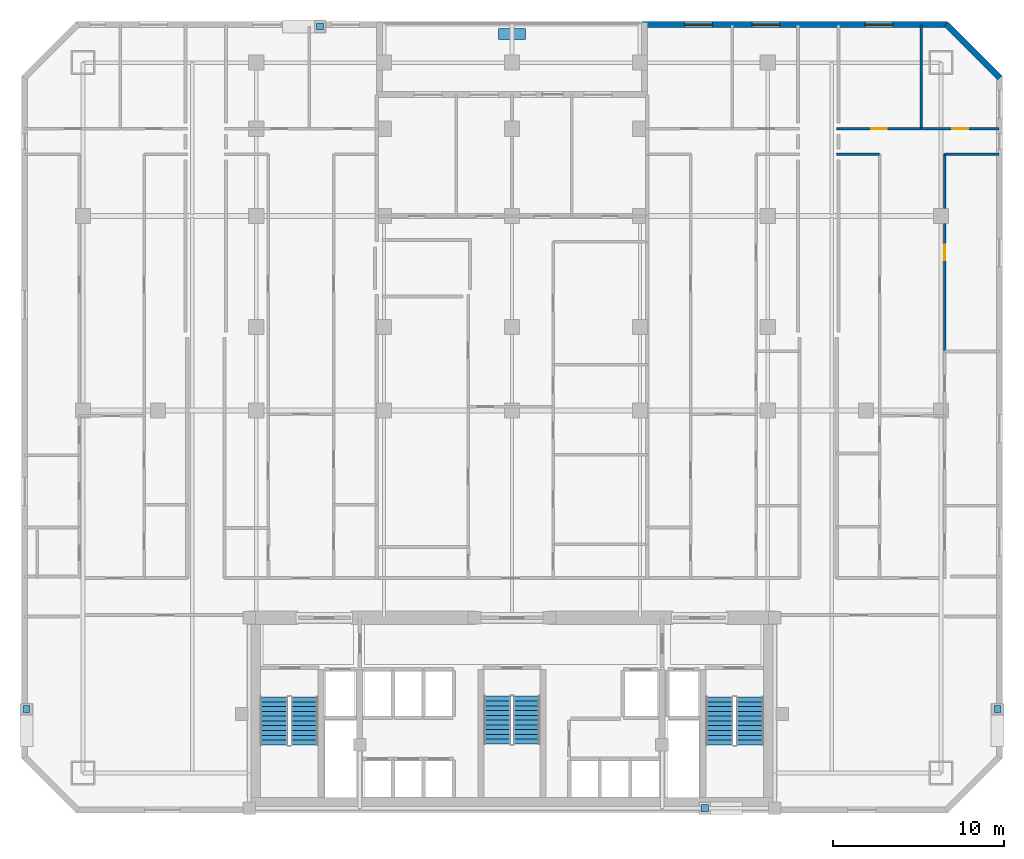
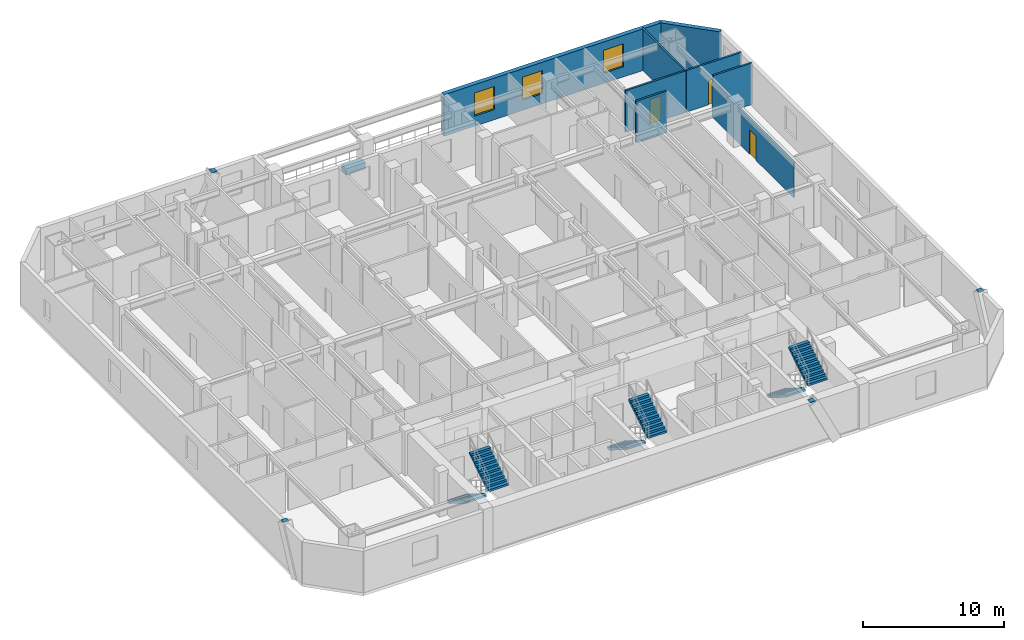
# One storey, part 9 of 10: 8 walls, 6 stair flights, 5 discrete accessories, 3 doors, 3 windows, 6 openings, 3 elements without a shape of their own.
"""IFC4 building model written with IfcOpenShell, lengths in metres."""

from ifc_helpers import new_model, si_unit, direction, frame, frame_2d, origin, origin_2d, place, context, subcontext, project, spatial, polyline, rectangle, outline, extrude, material, layer, layer_set, type_object, element, fill, aggregate, save


model = new_model("IFC4")

# Units and contexts
model_context = context("Model", 3, precision=1e-05, world=origin(), true_north=direction((0.0, 1.0)))
body_context = subcontext(model_context, "Body", "Model", "MODEL_VIEW")
ifc_project = project(units=[si_unit("LENGTHUNIT", "METRE"), si_unit("AREAUNIT", "SQUARE_METRE"), si_unit("VOLUMEUNIT", "CUBIC_METRE"), si_unit("PLANEANGLEUNIT", "RADIAN"), si_unit("MASSUNIT", "GRAM", prefix="KILO")], contexts=[model_context])

# Site, building, storey
site_placement = place(None, origin())
site = spatial("IfcSite", under=ifc_project, at=site_placement, CompositionType="ELEMENT")
building_placement = place(site_placement, origin())
building = spatial("IfcBuilding", under=site, at=building_placement, Name="Ventersveld Concourse Tower", CompositionType="ELEMENT")
storey_placement = place(building_placement, frame((0.0, 0.0, 64.449951171875)))
storey = spatial("IfcBuildingStorey", under=building, at=storey_placement, Name="L15", CompositionType="ELEMENT", Elevation=64.449951171875)

# Wall
ifc_material_1 = material(Name="Autoclaved aerated masonry blockwork", Category="masonry")
ifc_layer_1 = layer(ifc_material_1, 0.14990234375)
ifc_layer_set_1 = layer_set([ifc_layer_1], Name="Autoclaved aerated masonry blockwork")
wall_type_1 = type_object("IfcWallType", Name="WL-INT-150", PredefinedType="PARTITIONING", material=ifc_layer_set_1)
wall_1_placement = place(storey_placement, frame((47.784912109375, 38.6201171875, 0.0), z_axis=(0.0, 0.0, 1.0), x_axis=(1.0, 0.0, 0.0)))
element("IfcWall", 1, at=wall_1_placement, inside=storey, type_object=wall_type_1, Name="L15 Interior Partition SP-L15-15NE-LIV-SP-L15-15NE-DENL", PredefinedType="PARTITIONING", context=body_context, shape_type="SweptSolid", body=[
    extrude(rectangle(XDim=2.52099609375, YDim=0.14990234375, at=frame_2d((1.260498046875, 0.0))), origin(), (0.0, 0.0, 1.0), 3.60009765625),
])

# Wall, opening, door
wall_2_placement = place(storey_placement, frame((54.122802734375, 27.0947265625, 0.0), z_axis=(0.0, 0.0, 1.0), x_axis=(0.0, 1.0, 0.0)))
wall_2 = element("IfcWall", 2, at=wall_2_placement, inside=storey, type_object=wall_type_1, Name="L15 Interior Partition SP-L15-15NE-LIV-SP-L15-15NE-DENS", PredefinedType="PARTITIONING", context=body_context, shape_type="SweptSolid", body=[
    extrude(rectangle(XDim=11.5302734375, YDim=0.14990234375, at=frame_2d((5.76513671875, 0.0))), origin(), (0.0, 0.0, 1.0), 3.0556640625),
])
opening_1_placement = place(wall_2_placement, frame((5.30517578125, 0.0, 0.0)))
opening_1 = element("IfcOpeningElement", 3, at=opening_1_placement, cuts=wall_2, Name="Opening ID1", PredefinedType="OPENING", context=body_context, shape_type="SweptSolid", body=[
    extrude(rectangle(XDim=0.919921875, YDim=2.10009765625, at=frame_2d((0.4599609375, 1.050048828125))), frame((0.0, 0.0849609375, 0.0), z_axis=(0.0, -1.0, 0.0), x_axis=(1.0, 0.0, 0.0)), (0.0, 0.0, 1.0), 0.169921875),
])
ifc_material_2 = material(Name="Solid-core hardwood veneer timber", Category="wood")
door_type = type_object("IfcDoorType", Name="DR-ROOM-092", OperationType="NOTDEFINED", PredefinedType="DOOR", material=ifc_material_2)
door_1_placement = place(opening_1_placement, origin())
door_1 = element("IfcDoor", 4, at=door_1_placement, inside=storey, type_object=door_type, Name="L15 Interior Door SP-L15-15NE-LIV to SP-L15-15NE-DENS (D-L15-0680)", OperationType="SINGLE_SWING_RIGHT", OverallHeight=2.10009765625, OverallWidth=0.919921875, PredefinedType="DOOR", context=body_context, shape_type="SweptSolid", body=[
    extrude(rectangle(XDim=0.919921875, YDim=2.10009765625, at=frame_2d((0.4599609375, 1.050048828125))), frame((0.0, 0.02490234375, 0.0), z_axis=(0.0, -1.0, 0.0), x_axis=(1.0, 0.0, 0.0)), (0.0, 0.0, 1.0), 0.050048828125),
])
fill(opening_1, door_1)

# Wall
wall_3_placement = place(storey_placement, frame((54.117919921875, 38.6201171875, 0.0), z_axis=(0.0, 0.0, 1.0), x_axis=(1.0, 0.0, 0.0)))
element("IfcWall", 5, at=wall_3_placement, inside=storey, type_object=wall_type_1, Name="L15 Interior Partition SP-L15-15NE-LIV-SP-L15-15NE-DENS", PredefinedType="PARTITIONING", context=body_context, shape_type="SweptSolid", body=[
    extrude(rectangle(XDim=3.172119140625, YDim=0.14990234375, at=frame_2d((1.5859375, 0.0))), origin(), (0.0, 0.0, 1.0), 3.60009765625),
])

# Wall, opening, door
wall_4_placement = place(storey_placement, frame((47.784912109375, 40.1201171875, 0.0), z_axis=(0.0, 0.0, 1.0), x_axis=(1.0, 0.0, 0.0)))
wall_4 = element("IfcWall", 6, at=wall_4_placement, inside=storey, type_object=wall_type_1, Name="L15 Interior Partition SP-L15-15NE-LIV-SP-L15-15NE-BR1", PredefinedType="PARTITIONING", context=body_context, shape_type="SweptSolid", body=[
    extrude(rectangle(XDim=4.951171875, YDim=0.14990234375, at=frame_2d((2.4755859375, 0.0))), origin(), (0.0, 0.0, 1.0), 3.60009765625),
])
opening_2_placement = place(wall_4_placement, frame((2.015625, 0.0, 0.0)))
opening_2 = element("IfcOpeningElement", 7, at=opening_2_placement, cuts=wall_4, Name="Opening ID1", PredefinedType="OPENING", context=body_context, shape_type="SweptSolid", body=[
    extrude(rectangle(XDim=0.919921875, YDim=2.10009765625, at=frame_2d((0.4599609375, 1.050048828125))), frame((0.0, 0.0849609375, 0.0), z_axis=(0.0, -1.0, 0.0), x_axis=(1.0, 0.0, 0.0)), (0.0, 0.0, 1.0), 0.169921875),
])
door_2_placement = place(opening_2_placement, origin())
door_2 = element("IfcDoor", 8, at=door_2_placement, inside=storey, type_object=door_type, Name="L15 Interior Door SP-L15-15NE-LIV to SP-L15-15NE-BR1 (D-L15-0681)", OperationType="SINGLE_SWING_LEFT", OverallHeight=2.10009765625, OverallWidth=0.919921875, PredefinedType="DOOR", context=body_context, shape_type="SweptSolid", body=[
    extrude(rectangle(XDim=0.919921875, YDim=2.10009765625, at=frame_2d((0.4599609375, 1.050048828125))), frame((0.0, 0.02490234375, 0.0), z_axis=(0.0, -1.0, 0.0), x_axis=(1.0, 0.0, 0.0)), (0.0, 0.0, 1.0), 0.050048828125),
])
fill(opening_2, door_2)

wall_5_placement = place(storey_placement, frame((52.76611328125, 40.1201171875, 0.0), z_axis=(0.0, 0.0, 1.0), x_axis=(1.0, 0.0, 0.0)))
wall_5 = element("IfcWall", 9, at=wall_5_placement, inside=storey, type_object=wall_type_1, Name="L15 Interior Partition SP-L15-15NE-LIV-SP-L15-15NE-BR2", PredefinedType="PARTITIONING", context=body_context, shape_type="SweptSolid", body=[
    extrude(rectangle(XDim=4.52392578125, YDim=0.14990234375, at=frame_2d((2.261962890625, 0.0))), origin(), (0.0, 0.0, 1.0), 3.60009765625),
])
opening_3_placement = place(wall_5_placement, frame((1.802001953125, 0.0, 0.0)))
opening_3 = element("IfcOpeningElement", 10, at=opening_3_placement, cuts=wall_5, Name="Opening ID1", PredefinedType="OPENING", context=body_context, shape_type="SweptSolid", body=[
    extrude(rectangle(XDim=0.919921875, YDim=2.10009765625, at=frame_2d((0.4599609375, 1.050048828125))), frame((0.0, 0.0849609375, 0.0), z_axis=(0.0, -1.0, 0.0), x_axis=(1.0, 0.0, 0.0)), (0.0, 0.0, 1.0), 0.169921875),
])
door_3_placement = place(opening_3_placement, origin())
door_3 = element("IfcDoor", 11, at=door_3_placement, inside=storey, type_object=door_type, Name="L15 Interior Door SP-L15-15NE-LIV to SP-L15-15NE-BR2 (D-L15-0682)", OperationType="SINGLE_SWING_RIGHT", OverallHeight=2.10009765625, OverallWidth=0.919921875, PredefinedType="DOOR", context=body_context, shape_type="SweptSolid", body=[
    extrude(rectangle(XDim=0.919921875, YDim=2.10009765625, at=frame_2d((0.4599609375, 1.050048828125))), frame((0.0, 0.02490234375, 0.0), z_axis=(0.0, -1.0, 0.0), x_axis=(1.0, 0.0, 0.0)), (0.0, 0.0, 1.0), 0.050048828125),
])
fill(opening_3, door_3)

# Walls
wall_6_placement = place(storey_placement, frame((52.731201171875, 40.114990234375, 0.0), z_axis=(0.0, 0.0, 1.0), x_axis=(0.0, 1.0, 0.0)))
element("IfcWall", 12, at=wall_6_placement, inside=storey, type_object=wall_type_1, Name="L15 Interior Partition SP-L15-15NE-BR1-SP-L15-15NE-BR2", PredefinedType="PARTITIONING", context=body_context, shape_type="SweptSolid", body=[
    extrude(rectangle(XDim=6.074951171875, YDim=0.14990234375, at=frame_2d((3.03759765625, 0.0))), origin(), (0.0, 0.0, 1.0), 3.60009765625),
])
ifc_material_3 = material(Name="Precast concrete C45/55", Category="concrete")
ifc_layer_2 = layer(ifc_material_3, 0.35009765625)
ifc_layer_set_2 = layer_set([ifc_layer_2], Name="Precast concrete C45/55")
wall_type_2 = type_object("IfcWallType", Name="WL-PREC-350", PredefinedType="SOLIDWALL", material=ifc_layer_set_2)
wall_7_placement = place(storey_placement, frame((57.347900390625, 43.1044921875, 0.0), z_axis=(0.0, 0.0, 1.0), x_axis=(-0.707079321262, 0.707134240044, 0.0)))
element("IfcWall", 13, at=wall_7_placement, inside=storey, type_object=wall_type_2, Name="L15 Highveld Precast Facade Wall E04", PredefinedType="SOLIDWALL", context=body_context, shape_type="SweptSolid", body=[
    extrude(rectangle(XDim=4.445556640625, YDim=0.35009765625, at=frame_2d((2.22265625, 0.0))), origin(), (0.0, 0.0, 1.0), 3.60009765625),
])

# Wall, openings, windows
wall_8_placement = place(storey_placement, frame((54.260009765625, 46.22509765625, 0.0), z_axis=(0.0, 0.0, 1.0), x_axis=(-1.0, 0.0, 0.0)))
wall_8 = element("IfcWall", 14, at=wall_8_placement, inside=storey, type_object=wall_type_2, Name="L15 Highveld Precast Facade Wall E05", PredefinedType="SOLIDWALL", context=body_context, shape_type="SweptSolid", body=[
    extrude(rectangle(XDim=17.8701171875, YDim=0.35009765625, at=frame_2d((8.93505859375, 0.0))), origin(), (0.0, 0.0, 1.0), 3.60009765625),
])
opening_4_placement = place(wall_8_placement, frame((3.17431640625, 0.0, 0.8798828125)))
opening_4 = element("IfcOpeningElement", 15, at=opening_4_placement, cuts=wall_8, Name="Opening W6", PredefinedType="OPENING", context=body_context, shape_type="SweptSolid", body=[
    extrude(rectangle(XDim=1.64990234375, YDim=2.0, at=frame_2d((0.824951171875, 1.0))), frame((0.0, 0.18505859375, 0.0), z_axis=(0.0, -1.0, 0.0), x_axis=(1.0, 0.0, 0.0)), (0.0, 0.0, 1.0), 0.3701171875),
])
opening_5_placement = place(wall_8_placement, frame((13.745849609375, 0.0, 0.8798828125)))
opening_5 = element("IfcOpeningElement", 16, at=opening_5_placement, cuts=wall_8, Name="Opening W6", PredefinedType="OPENING", context=body_context, shape_type="SweptSolid", body=[
    extrude(rectangle(XDim=1.64990234375, YDim=2.0, at=frame_2d((0.824951171875, 1.0))), frame((0.0, 0.18505859375, 0.0), z_axis=(0.0, -1.0, 0.0), x_axis=(1.0, 0.0, 0.0)), (0.0, 0.0, 1.0), 0.3701171875),
])
opening_6_placement = place(wall_8_placement, frame((9.80322265625, 0.0, 0.8798828125)))
opening_6 = element("IfcOpeningElement", 17, at=opening_6_placement, cuts=wall_8, Name="Opening W6", PredefinedType="OPENING", context=body_context, shape_type="SweptSolid", body=[
    extrude(rectangle(XDim=1.64990234375, YDim=2.0, at=frame_2d((0.824951171875, 1.0))), frame((0.0, 0.18505859375, 0.0), z_axis=(0.0, -1.0, 0.0), x_axis=(1.0, 0.0, 0.0)), (0.0, 0.0, 1.0), 0.3701171875),
])
ifc_material_4 = material(Name="Tempered acoustic Low-E IGU", Category="glass")
window_type = type_object("IfcWindowType", Name="WIN-165x200", PartitioningType="SINGLE_PANEL", PredefinedType="WINDOW", material=ifc_material_4)
window_1_placement = place(opening_4_placement, origin())
window_1 = element("IfcWindow", 18, at=window_1_placement, inside=storey, type_object=window_type, Name="L15 Punched Low-E Window W-0134", OverallHeight=2.0, OverallWidth=1.64990234375, PartitioningType="SINGLE_PANEL", PredefinedType="WINDOW", context=body_context, shape_type="SweptSolid", body=[
    extrude(rectangle(XDim=1.64990234375, YDim=2.0, at=frame_2d((0.824951171875, 1.0))), frame((0.0, 0.030029296875, 0.0), z_axis=(0.0, -1.0, 0.0), x_axis=(1.0, 0.0, 0.0)), (0.0, 0.0, 1.0), 0.06005859375),
])
fill(opening_4, window_1)
window_2_placement = place(opening_5_placement, origin())
window_2 = element("IfcWindow", 19, at=window_2_placement, inside=storey, type_object=window_type, Name="L15 Punched Low-E Window W-0138", OverallHeight=2.0, OverallWidth=1.64990234375, PartitioningType="SINGLE_PANEL", PredefinedType="WINDOW", context=body_context, shape_type="SweptSolid", body=[
    extrude(rectangle(XDim=1.64990234375, YDim=2.0, at=frame_2d((0.824951171875, 1.0))), frame((0.0, 0.030029296875, 0.0), z_axis=(0.0, -1.0, 0.0), x_axis=(1.0, 0.0, 0.0)), (0.0, 0.0, 1.0), 0.06005859375),
])
fill(opening_5, window_2)
window_3_placement = place(opening_6_placement, origin())
window_3 = element("IfcWindow", 20, at=window_3_placement, inside=storey, type_object=window_type, Name="L15 Punched Low-E Window W-0139", OverallHeight=2.0, OverallWidth=1.64990234375, PartitioningType="SINGLE_PANEL", PredefinedType="WINDOW", context=body_context, shape_type="SweptSolid", body=[
    extrude(rectangle(XDim=1.64990234375, YDim=2.0, at=frame_2d((0.824951171875, 1.0))), frame((0.0, 0.030029296875, 0.0), z_axis=(0.0, -1.0, 0.0), x_axis=(1.0, 0.0, 0.0)), (0.0, 0.0, 1.0), 0.06005859375),
])
fill(opening_6, window_3)

# Stair, stair flights
ifc_material_5 = material(Name="Concrete C50/60", Category="concrete")
stair_type_1 = type_object("IfcStairType", Name="ST-DOG-155", PredefinedType="HALF_TURN_STAIR", material=ifc_material_5)
stair_1_placement = place(storey_placement, origin())
stair_1 = element("IfcStair", 21, at=stair_1_placement, inside=storey, type_object=stair_type_1, Name="L15 Protected Central Core Escape Stair ST-03", PredefinedType="HALF_TURN_STAIR")
stair_flight_type_1 = type_object("IfcStairFlightType", Name="STF-RC-155", PredefinedType="STRAIGHT", material=ifc_material_5)
stair_flight_1_placement = place(storey_placement, frame((27.875, 6.85009765625, 0.0), z_axis=(0.0, 0.0, 1.0), x_axis=(0.0, -1.0, 0.0)))
stair_flight_1 = element("IfcStairFlight", 22, at=stair_flight_1_placement, type_object=stair_flight_type_1, Name="ST-03 flight 1", NumberOfRisers=11, NumberOfTreads=10, PredefinedType="STRAIGHT", RiserHeight=0.175, TreadLength=0.28, context=body_context, shape_type="SweptSolid", body=[
    extrude(outline(polyline([(0.0, 0.0), (0.0, 0.175048828125), (0.280029296875, 0.175048828125), (0.280029296875, 0.35009765625), (0.56005859375, 0.35009765625), (0.56005859375, 0.52490234375), (0.840087890625, 0.52490234375), (0.840087890625, 0.699951171875), (1.1201171875, 0.699951171875), (1.1201171875, 0.875), (1.39990234375, 0.875), (1.39990234375, 1.050048828125), (1.679931640625, 1.050048828125), (1.679931640625, 1.22509765625), (1.9599609375, 1.22509765625), (1.9599609375, 1.39990234375), (2.239990234375, 1.39990234375), (2.239990234375, 1.574951171875), (2.52001953125, 1.574951171875), (2.52001953125, 1.75), (2.800048828125, 1.75), (2.800048828125, 1.925048828125), (2.800048828125, 1.5732421875), (0.28271484375, 0.0), (0.0, 0.0)])), frame((0.0, 0.77490234375, 0.0), z_axis=(0.0, -1.0, 0.0), x_axis=(1.0, 0.0, 0.0)), (0.0, 0.0, 1.0), 1.550048828125),
])
stair_flight_2_placement = place(storey_placement, frame((29.625, 4.050048828125, 1.925048828125), z_axis=(0.0, 0.0, 1.0), x_axis=(0.0, 1.0, 0.0)))
stair_flight_2 = element("IfcStairFlight", 23, at=stair_flight_2_placement, type_object=stair_flight_type_1, Name="ST-03 flight 2", NumberOfRisers=11, NumberOfTreads=10, PredefinedType="STRAIGHT", RiserHeight=0.175, TreadLength=0.28, context=body_context, shape_type="SweptSolid", body=[
    extrude(outline(polyline([(0.0, 0.0), (0.0, 0.175048828125), (0.280029296875, 0.175048828125), (0.280029296875, 0.35009765625), (0.56005859375, 0.35009765625), (0.56005859375, 0.52490234375), (0.840087890625, 0.52490234375), (0.840087890625, 0.699951171875), (1.1201171875, 0.699951171875), (1.1201171875, 0.875), (1.39990234375, 0.875), (1.39990234375, 1.050048828125), (1.679931640625, 1.050048828125), (1.679931640625, 1.22509765625), (1.9599609375, 1.22509765625), (1.9599609375, 1.39990234375), (2.239990234375, 1.39990234375), (2.239990234375, 1.574951171875), (2.52001953125, 1.574951171875), (2.52001953125, 1.75), (2.800048828125, 1.75), (2.800048828125, 1.925048828125), (2.800048828125, 1.5732421875), (0.28271484375, 0.0), (0.0, 0.0)])), frame((0.0, 0.77490234375, 0.0), z_axis=(0.0, -1.0, 0.0), x_axis=(1.0, 0.0, 0.0)), (0.0, 0.0, 1.0), 1.550048828125),
])
aggregate(stair_1, [stair_flight_1, stair_flight_2])

stair_type_2 = type_object("IfcStairType", Name="ST-DOG-160", PredefinedType="HALF_TURN_STAIR", material=ifc_material_5)
stair_2_placement = place(storey_placement, origin())
stair_2 = element("IfcStair", 24, at=stair_2_placement, inside=storey, type_object=stair_type_2, Name="L15 Protected Tower Escape Stair ST-01", PredefinedType="HALF_TURN_STAIR")
stair_flight_type_2 = type_object("IfcStairFlightType", Name="STF-RC-160", PredefinedType="STRAIGHT", material=ifc_material_5)
stair_flight_3_placement = place(storey_placement, frame((14.780029296875, 6.800048828125, 0.0), z_axis=(0.0, 0.0, 1.0), x_axis=(0.0, -1.0, 0.0)))
stair_flight_3 = element("IfcStairFlight", 25, at=stair_flight_3_placement, type_object=stair_flight_type_2, Name="ST-01 flight 1", NumberOfRisers=11, NumberOfTreads=10, PredefinedType="STRAIGHT", RiserHeight=0.175, TreadLength=0.28, context=body_context, shape_type="SweptSolid", body=[
    extrude(outline(polyline([(0.0, 0.0), (0.0, 0.175048828125), (0.280029296875, 0.175048828125), (0.280029296875, 0.35009765625), (0.56005859375, 0.35009765625), (0.56005859375, 0.52490234375), (0.840087890625, 0.52490234375), (0.840087890625, 0.699951171875), (1.1201171875, 0.699951171875), (1.1201171875, 0.875), (1.39990234375, 0.875), (1.39990234375, 1.050048828125), (1.679931640625, 1.050048828125), (1.679931640625, 1.22509765625), (1.9599609375, 1.22509765625), (1.9599609375, 1.39990234375), (2.239990234375, 1.39990234375), (2.239990234375, 1.574951171875), (2.52001953125, 1.574951171875), (2.52001953125, 1.75), (2.800048828125, 1.75), (2.800048828125, 1.925048828125), (2.800048828125, 1.5732421875), (0.28271484375, 0.0), (0.0, 0.0)])), frame((0.0, 0.800048828125, 0.0), z_axis=(0.0, -1.0, 0.0), x_axis=(1.0, 0.0, 0.0)), (0.0, 0.0, 1.0), 1.60009765625),
])
stair_flight_4_placement = place(storey_placement, frame((16.580078125, 4.0, 1.925048828125), z_axis=(0.0, 0.0, 1.0), x_axis=(0.0, 1.0, 0.0)))
stair_flight_4 = element("IfcStairFlight", 26, at=stair_flight_4_placement, type_object=stair_flight_type_2, Name="ST-01 flight 2", NumberOfRisers=11, NumberOfTreads=10, PredefinedType="STRAIGHT", RiserHeight=0.175, TreadLength=0.28, context=body_context, shape_type="SweptSolid", body=[
    extrude(outline(polyline([(0.0, 0.0), (0.0, 0.175048828125), (0.280029296875, 0.175048828125), (0.280029296875, 0.35009765625), (0.56005859375, 0.35009765625), (0.56005859375, 0.52490234375), (0.840087890625, 0.52490234375), (0.840087890625, 0.699951171875), (1.1201171875, 0.699951171875), (1.1201171875, 0.875), (1.39990234375, 0.875), (1.39990234375, 1.050048828125), (1.679931640625, 1.050048828125), (1.679931640625, 1.22509765625), (1.9599609375, 1.22509765625), (1.9599609375, 1.39990234375), (2.239990234375, 1.39990234375), (2.239990234375, 1.574951171875), (2.52001953125, 1.574951171875), (2.52001953125, 1.75), (2.800048828125, 1.75), (2.800048828125, 1.925048828125), (2.800048828125, 1.5732421875), (0.28271484375, 0.0), (0.0, 0.0)])), frame((0.0, 0.800048828125, 0.0), z_axis=(0.0, -1.0, 0.0), x_axis=(1.0, 0.0, 0.0)), (0.0, 0.0, 1.0), 1.60009765625),
])
aggregate(stair_2, [stair_flight_3, stair_flight_4])

stair_3_placement = place(storey_placement, origin())
stair_3 = element("IfcStair", 27, at=stair_3_placement, inside=storey, type_object=stair_type_2, Name="L15 Protected Tower Escape Stair ST-02", PredefinedType="HALF_TURN_STAIR")
stair_flight_5_placement = place(storey_placement, frame((40.919921875, 6.800048828125, 0.0), z_axis=(0.0, 0.0, 1.0), x_axis=(0.0, -1.0, 0.0)))
stair_flight_5 = element("IfcStairFlight", 28, at=stair_flight_5_placement, type_object=stair_flight_type_2, Name="ST-02 flight 1", NumberOfRisers=11, NumberOfTreads=10, PredefinedType="STRAIGHT", RiserHeight=0.175, TreadLength=0.28, context=body_context, shape_type="SweptSolid", body=[
    extrude(outline(polyline([(0.0, 0.0), (0.0, 0.175048828125), (0.280029296875, 0.175048828125), (0.280029296875, 0.35009765625), (0.56005859375, 0.35009765625), (0.56005859375, 0.52490234375), (0.840087890625, 0.52490234375), (0.840087890625, 0.699951171875), (1.1201171875, 0.699951171875), (1.1201171875, 0.875), (1.39990234375, 0.875), (1.39990234375, 1.050048828125), (1.679931640625, 1.050048828125), (1.679931640625, 1.22509765625), (1.9599609375, 1.22509765625), (1.9599609375, 1.39990234375), (2.239990234375, 1.39990234375), (2.239990234375, 1.574951171875), (2.52001953125, 1.574951171875), (2.52001953125, 1.75), (2.800048828125, 1.75), (2.800048828125, 1.925048828125), (2.800048828125, 1.5732421875), (0.28271484375, 0.0), (0.0, 0.0)])), frame((0.0, 0.800048828125, 0.0), z_axis=(0.0, -1.0, 0.0), x_axis=(1.0, 0.0, 0.0)), (0.0, 0.0, 1.0), 1.60009765625),
])
stair_flight_6_placement = place(storey_placement, frame((42.719970703125, 4.0, 1.925048828125), z_axis=(0.0, 0.0, 1.0), x_axis=(0.0, 1.0, 0.0)))
stair_flight_6 = element("IfcStairFlight", 29, at=stair_flight_6_placement, type_object=stair_flight_type_2, Name="ST-02 flight 2", NumberOfRisers=11, NumberOfTreads=10, PredefinedType="STRAIGHT", RiserHeight=0.175, TreadLength=0.28, context=body_context, shape_type="SweptSolid", body=[
    extrude(outline(polyline([(0.0, 0.0), (0.0, 0.175048828125), (0.280029296875, 0.175048828125), (0.280029296875, 0.35009765625), (0.56005859375, 0.35009765625), (0.56005859375, 0.52490234375), (0.840087890625, 0.52490234375), (0.840087890625, 0.699951171875), (1.1201171875, 0.699951171875), (1.1201171875, 0.875), (1.39990234375, 0.875), (1.39990234375, 1.050048828125), (1.679931640625, 1.050048828125), (1.679931640625, 1.22509765625), (1.9599609375, 1.22509765625), (1.9599609375, 1.39990234375), (2.239990234375, 1.39990234375), (2.239990234375, 1.574951171875), (2.52001953125, 1.574951171875), (2.52001953125, 1.75), (2.800048828125, 1.75), (2.800048828125, 1.925048828125), (2.800048828125, 1.5732421875), (0.28271484375, 0.0), (0.0, 0.0)])), frame((0.0, 0.800048828125, 0.0), z_axis=(0.0, -1.0, 0.0), x_axis=(1.0, 0.0, 0.0)), (0.0, 0.0, 1.0), 1.60009765625),
])
aggregate(stair_3, [stair_flight_5, stair_flight_6])

# Discrete accessories
ifc_material_6 = material(Name="Structural steel S355J2", Category="steel")
discrete_accessory_type_1 = type_object("IfcDiscreteAccessoryType", Name="CONN-BRACE-ECP1", PredefinedType="BRACKET", material=ifc_material_6)
for number, where, z_axis, x_axis, name in (
    (30, (17.5, 46.1201171875, 3.580078125), (0.0, 0.0, 1.0), (1.0, 0.0, 0.0), "L15 Steel Brace End Connection Plate ECP1-0234"),
    (31, (40.050048828125, 0.280029296875, 3.580078125), (0.0, 0.0, 1.0), (1.0, 0.0, 0.0), "L15 Steel Brace End Connection Plate ECP1-0238"),
    (32, (0.280029296875, 6.10009765625, 3.580078125), (0.0, 0.0, 1.0), (1.0, 0.0, 0.0), "L15 Steel Brace End Connection Plate ECP1-0242"),
    (33, (57.219970703125, 6.10009765625, 3.580078125), (0.0, 0.0, 1.0), (1.0, 0.0, 0.0), "L15 Steel Brace End Connection Plate ECP1-0246"),
):
    element("IfcDiscreteAccessory", number, at=place(storey_placement, frame(where, z_axis=z_axis, x_axis=x_axis)), inside=storey, type_object=discrete_accessory_type_1, Name=name, PredefinedType="BRACKET", context=body_context, shape_type="SweptSolid", body=[
        extrude(rectangle(XDim=0.419921875, YDim=0.419921875, at=origin_2d()), origin(), (0.0, 0.0, 1.0), 0.0400390625),
    ])
discrete_accessory_type_2 = type_object("IfcDiscreteAccessoryType", Name="PLN-TERR-180", PredefinedType="USERDEFINED", material=ifc_material_3)
discrete_accessory_placement = place(storey_placement, frame((28.75, 45.679931640625, 0.0), z_axis=(0.0, 0.0, 1.0), x_axis=(1.0, 0.0, 0.0)))
element("IfcDiscreteAccessory", 34, at=discrete_accessory_placement, inside=storey, type_object=discrete_accessory_type_2, Name="L15 Planted Precast Terrace Planter Box NOTCH-N", ObjectType="PLANTER", PredefinedType="USERDEFINED", context=body_context, shape_type="SweptSolid", body=[
    extrude(rectangle(XDim=1.60009765625, YDim=0.64990234375, at=origin_2d()), origin(), (0.0, 0.0, 1.0), 0.550048828125),
])

save(model, "model.ifc")
